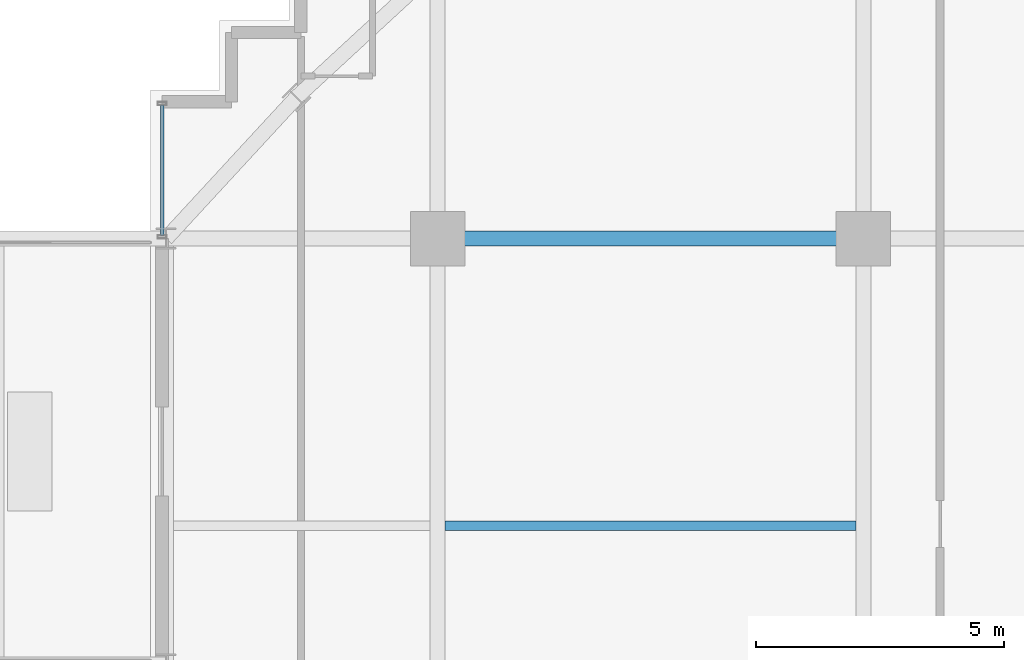
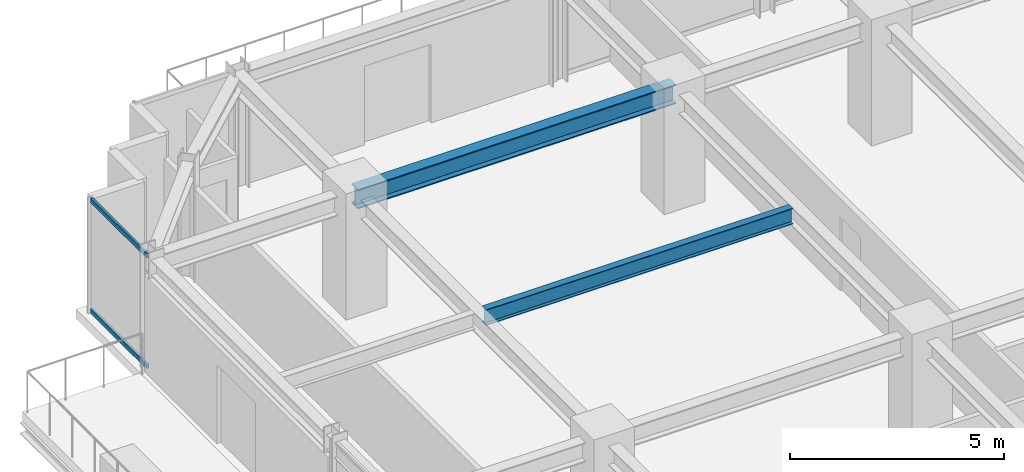
# One storey, part 16 of 32: 2 beams, 2 members, 1 element without a shape of its own.
"""IFC4 building model written with IfcOpenShell, lengths in metres."""

import ifcopenshell
import ifcopenshell.guid

model = None  # the IFC model being written
_history = None  # IfcOwnerHistory: only IFC2X3 demands one
_inside = {}  # id of a spatial element -> (the spatial element, [elements in it])
_under = {}  # id of a project, library or spatial element -> (it, [spatial elements below it])
_declared = {}  # id of a project -> (the project, [libraries it declares])
_typed = {}  # id of a type object -> (the type object, [elements of that type])
_made_of = {}  # id of a material, layer set ... -> (it, [elements and type objects made of it])


def new_model(schema):
    """Start an empty IFC model of exactly this schema.

    Asked for "IFC4X3", IfcOpenShell would pick the latest addendum, in which some entities
    have other attributes; the version numbers below select the first issue.
    IFC2X3 requires an IfcOwnerHistory on every rooted entity: one is made here for all.
    """
    global model, _history
    if schema == "IFC4X3":
        model = ifcopenshell.file(schema_version=(4, 3, 0, 0))
    else:
        model = ifcopenshell.file(schema=schema)
    _inside.clear()
    _under.clear()
    _declared.clear()
    _typed.clear()
    _made_of.clear()
    _history = None
    if model.schema == "IFC2X3":
        org = make("IfcOrganization", Name="unknown")
        user = make(
            "IfcPersonAndOrganization",
            ThePerson=make("IfcPerson", FamilyName="unknown"),
            TheOrganization=org,
        )
        app = make(
            "IfcApplication",
            ApplicationDeveloper=org,
            Version="unknown",
            ApplicationFullName="unknown",
            ApplicationIdentifier="unknown",
        )
        _history = make(
            "IfcOwnerHistory",
            OwningUser=user,
            OwningApplication=app,
            ChangeAction="ADDED",
            CreationDate=0,
        )
    return model


def make(cls, **values):
    """One entity of the class cls with the attributes given. An attribute that is None is left unset."""
    return model.create_entity(
        cls, **{name: value for name, value in values.items() if value is not None}
    )


def rooted(cls, **values):
    """An entity with a GlobalId (a new one), such as an element, a storey or a relation."""
    return make(cls, GlobalId=ifcopenshell.guid.new(), OwnerHistory=_history, **values)


def si_unit(unit_type, name, prefix=None):
    """IfcSIUnit, for example si_unit("LENGTHUNIT", "METRE", prefix="MILLI")."""
    return make("IfcSIUnit", UnitType=unit_type, Prefix=prefix, Name=name)


def assignment(units):
    """IfcUnitAssignment: the units of a project."""
    return None if units is None else make("IfcUnitAssignment", Units=units)


def point(xyz):
    """IfcCartesianPoint."""
    return None if xyz is None else make("IfcCartesianPoint", Coordinates=xyz)


def direction(xyz):
    """IfcDirection."""
    return None if xyz is None else make("IfcDirection", DirectionRatios=xyz)


def frame(location, z_axis=None, x_axis=None):
    """IfcAxis2Placement3D, a coordinate frame: its origin and axes. An axis left out is left unset."""
    return make(
        "IfcAxis2Placement3D",
        Location=point(location),
        Axis=direction(z_axis),
        RefDirection=direction(x_axis),
    )


def frame_2d(location, x_axis=None):
    """IfcAxis2Placement2D, a coordinate frame in the plane: its origin and x axis."""
    return make(
        "IfcAxis2Placement2D", Location=point(location), RefDirection=direction(x_axis)
    )


def origin():
    """The frame at (0, 0, 0) with its axes left unset."""
    return frame((0.0, 0.0, 0.0))


def origin_2d():
    """The frame at (0, 0) in the plane with its x axis left unset."""
    return frame_2d((0.0, 0.0))


def place(relative_to, where):
    """IfcLocalPlacement: puts the frame where relative to a parent placement (None: the world)."""
    return make(
        "IfcLocalPlacement", PlacementRelTo=relative_to, RelativePlacement=where
    )


def context(
    kind, dimensions, precision=None, world=None, true_north=None, identifier=None
):
    """IfcGeometricRepresentationContext, for example the 3D "Model" context."""
    return make(
        "IfcGeometricRepresentationContext",
        ContextIdentifier=identifier,
        ContextType=kind,
        CoordinateSpaceDimension=dimensions,
        Precision=precision,
        WorldCoordinateSystem=world,
        TrueNorth=true_north,
    )


def subcontext(parent, identifier, kind, view, scale=None):
    """IfcGeometricRepresentationSubContext, for example "Body" below "Model"."""
    return make(
        "IfcGeometricRepresentationSubContext",
        ContextIdentifier=identifier,
        ContextType=kind,
        ParentContext=parent,
        TargetScale=scale,
        TargetView=view,
    )


def project(units=None, contexts=None):
    """IfcProject with its units and contexts."""
    return rooted(
        "IfcProject",
        Name="project",
        RepresentationContexts=contexts,
        UnitsInContext=assignment(units),
    )


def spatial(cls, under=None, at=None, **own):
    """A site, building, storey or space (cls), placed at a placement, below another one or the project."""
    s = rooted(cls, ObjectPlacement=at, **own)
    if under is not None:
        _under.setdefault(under.id(), (under, []))[1].append(s)
    return s


def profile(cls, at=None, kind="AREA", **sizes):
    """A parametric profile (cls). Its sizes go by their IFC names, for example OverallWidth=200.0."""
    return make(cls, ProfileType=kind, Position=at, **sizes)


def hollow_rectangle(**sizes):
    """IfcRectangleHollowProfileDef."""
    return profile("IfcRectangleHollowProfileDef", **sizes)


def i_section(**sizes):
    """IfcIShapeProfileDef."""
    return profile("IfcIShapeProfileDef", **sizes)


def extrude(swept, where, along, depth):
    """IfcExtrudedAreaSolid: the profile swept, set in the frame where, extruded along a direction by depth."""
    return make(
        "IfcExtrudedAreaSolid",
        SweptArea=swept,
        Position=where,
        ExtrudedDirection=direction(along),
        Depth=depth,
    )


def shape(context_of_items, identifier, shape_type, items):
    """IfcShapeRepresentation: the items that make up one representation, for example the "Body"."""
    return make(
        "IfcShapeRepresentation",
        ContextOfItems=context_of_items,
        RepresentationIdentifier=identifier,
        RepresentationType=shape_type,
        Items=items,
    )


def source(mapping_origin, context_of_items, identifier, shape_type, items):
    """IfcRepresentationMap: a shape defined once, which mapped items show again and again."""
    return make(
        "IfcRepresentationMap",
        MappingOrigin=mapping_origin,
        MappedRepresentation=shape(context_of_items, identifier, shape_type, items),
    )


def transform(
    local_origin,
    x_axis=None,
    y_axis=None,
    z_axis=None,
    scale=None,
    scale2=None,
    scale3=None,
    uniform=True,
):
    """IfcCartesianTransformationOperator3D, or its non-uniform kind. x_axis, y_axis, z_axis: its Axis1, 2, 3."""
    if uniform:
        return make(
            "IfcCartesianTransformationOperator3D",
            Axis1=direction(x_axis),
            Axis2=direction(y_axis),
            LocalOrigin=point(local_origin),
            Scale=scale,
            Axis3=direction(z_axis),
        )
    return make(
        "IfcCartesianTransformationOperator3DnonUniform",
        Axis1=direction(x_axis),
        Axis2=direction(y_axis),
        LocalOrigin=point(local_origin),
        Scale=scale,
        Axis3=direction(z_axis),
        Scale2=scale2,
        Scale3=scale3,
    )


def mapped(mapping_source, mapping_target):
    """IfcMappedItem: shows the shape of a source again, moved by a transform."""
    return make(
        "IfcMappedItem", MappingSource=mapping_source, MappingTarget=mapping_target
    )


def material(Name=None, Category=None):
    """IfcMaterial."""
    return make("IfcMaterial", Name=Name, Category=Category)


def material_profile(
    of_material, cross_section, Name=None, Category=None, Priority=None
):
    """IfcMaterialProfile: a cross section and its material."""
    return make(
        "IfcMaterialProfile",
        Name=Name,
        Material=of_material,
        Profile=cross_section,
        Priority=Priority,
        Category=Category,
    )


def profile_set(profiles, Name=None, composite=None):
    """IfcMaterialProfileSet."""
    return make(
        "IfcMaterialProfileSet",
        Name=Name,
        MaterialProfiles=profiles,
        CompositeProfile=composite,
    )


def made_of(thing, what):
    """Note that an element or type object is made of a material, layer set ...; save() writes the relation."""
    if what is not None:
        _made_of.setdefault(what.id(), (what, []))[1].append(thing)
    return thing


def type_object(cls, material=None, **own):
    """A type object (cls), such as IfcWallType, which elements share."""
    return made_of(rooted(cls, **own), material)


def element(
    cls,
    number,
    at=None,
    inside=None,
    cuts=None,
    type_object=None,
    material=None,
    context=None,
    identifier="Body",
    shape_type=None,
    held_by="IfcProductDefinitionShape",
    body=None,
    shapes=None,
    **own,
):
    """One element of the class cls, such as IfcWall. Its Tag is "e" and its number.

    at: its placement. inside: the storey or other place that contains it. cuts: it is an
    opening in that element (IfcRelVoidsElement). A single representation is given by context,
    identifier, shape_type and body (its items); several are given by shapes. held_by: the class
    of the entity that holds the representations. save() writes the other relations.
    """
    e = rooted(cls, Tag="e%d" % number, ObjectPlacement=at, **own)
    if body is not None:
        shapes = [shape(context, identifier, shape_type, body)]
    if shapes is not None:
        e.Representation = make(held_by, Representations=shapes)
    if inside is not None:
        _inside.setdefault(inside.id(), (inside, []))[1].append(e)
    if cuts is not None:
        rooted(
            "IfcRelVoidsElement", RelatingBuildingElement=cuts, RelatedOpeningElement=e
        )
    if type_object is not None:
        _typed.setdefault(type_object.id(), (type_object, []))[1].append(e)
    return made_of(e, material)


def aggregate(whole, parts):
    """IfcRelAggregates: a whole, such as a stair, and the parts it consists of."""
    return rooted("IfcRelAggregates", RelatingObject=whole, RelatedObjects=parts)


def save(model, path):
    """Write the relations noted so far, then the file.

    IfcRelAggregates (storeys below a building ...), IfcRelContainedInSpatialStructure (elements
    in a storey), IfcRelDefinesByType, IfcRelAssociatesMaterial and IfcRelDeclares: one each for
    every whole, place, type object, material and project.
    """
    for whole, parts in _under.values():
        aggregate(whole, parts)
    for where, things in _inside.values():
        rooted(
            "IfcRelContainedInSpatialStructure",
            RelatedElements=things,
            RelatingStructure=where,
        )
    for kind, things in _typed.values():
        rooted("IfcRelDefinesByType", RelatedObjects=things, RelatingType=kind)
    for what, things in _made_of.values():
        rooted("IfcRelAssociatesMaterial", RelatedObjects=things, RelatingMaterial=what)
    for by, libraries in _declared.values():
        rooted("IfcRelDeclares", RelatingContext=by, RelatedDefinitions=libraries)
    model.write(path)


model = new_model("IFC4")

# Units and contexts
model_context = context("Model", 3, precision=1e-05, world=origin(), true_north=direction((0.0, 1.0)))
body_context = subcontext(model_context, "Body", "Model", "MODEL_VIEW")
ifc_project = project(units=[si_unit("LENGTHUNIT", "METRE"), si_unit("AREAUNIT", "SQUARE_METRE"), si_unit("VOLUMEUNIT", "CUBIC_METRE"), si_unit("PLANEANGLEUNIT", "RADIAN"), si_unit("MASSUNIT", "GRAM", prefix="KILO")], contexts=[model_context])

# Site, building, storey
site_placement = place(None, origin())
site = spatial("IfcSite", under=ifc_project, at=site_placement, CompositionType="ELEMENT")
building_placement = place(site_placement, origin())
building = spatial("IfcBuilding", under=site, at=building_placement, Name="Nahalor Promenade Grand Hotel", CompositionType="ELEMENT")
storey_placement = place(building_placement, frame((0.0, 0.0, 196.449951171875)))
storey = spatial("IfcBuildingStorey", under=building, at=storey_placement, Name="L50", CompositionType="ELEMENT", Elevation=196.449951171875)

# Beams
ifc_material_1 = material(Name="Steel S355JR", Category="steel")
ifc_material_profile_1 = material_profile(ifc_material_1, i_section(OverallWidth=0.3, OverallDepth=0.55, WebThickness=0.015, FlangeThickness=0.029, at=origin_2d()), Name="HEB 550")
ifc_profile_set_1 = profile_set([ifc_material_profile_1], Name="Steel S355JR")
beam_type_1 = type_object("IfcBeamType", Name="Beam-Girder-HEB550", PredefinedType="BEAM", material=ifc_profile_set_1)
shared_shape_1 = source(origin(), body_context, "Body", "SweptSolid", [
    extrude(i_section(OverallWidth=0.3, OverallDepth=0.55, WebThickness=0.015, FlangeThickness=0.029, at=origin_2d()), origin(), (0.0, 0.0, 1.0), 8.60009765625),
])
beam_1_placement = place(storey_placement, frame((-17.0, 17.0, 3.01513671875), z_axis=(1.0, 0.0, 0.0), x_axis=(0.0, 1.0, 0.0)))
element("IfcBeam", 1, at=beam_1_placement, inside=storey, type_object=beam_type_1, Name="BM-L50-GX-3-1", PredefinedType="BEAM", context=body_context, shape_type="MappedRepresentation", body=[
    mapped(shared_shape_1, transform((0.0, 0.0, 0.0), scale=1.0)),
])
ifc_material_profile_2 = material_profile(ifc_material_1, i_section(OverallWidth=0.19, OverallDepth=0.45, WebThickness=0.0094, FlangeThickness=0.0146, at=origin_2d()), Name="IPE 450")
ifc_profile_set_2 = profile_set([ifc_material_profile_2], Name="Steel S355JR")
beam_type_2 = type_object("IfcBeamType", Name="Beam-Joist-IPE450", PredefinedType="JOIST", material=ifc_profile_set_2)
shared_shape_2 = source(origin(), body_context, "Body", "SweptSolid", [
    extrude(i_section(OverallWidth=0.19, OverallDepth=0.45, WebThickness=0.0094, FlangeThickness=0.0146, at=origin_2d()), origin(), (0.0, 0.0, 1.0), 8.300048828125),
])
beam_2_placement = place(storey_placement, frame((-16.85009765625, 11.199951171875, 3.06494140625), z_axis=(1.0, 0.0, 0.0), x_axis=(0.0, 1.0, 0.0)))
element("IfcBeam", 2, at=beam_2_placement, inside=storey, type_object=beam_type_2, Name="BM-L50-JSW-1-1", PredefinedType="JOIST", context=body_context, shape_type="MappedRepresentation", body=[
    mapped(shared_shape_2, transform((0.0, 0.0, 0.0), scale=1.0)),
])

# Curtain wall, members
ifc_material_2 = material(Name="Anodised Bronze Aluminium EN AW-6063 T6", Category="aluminium")
curtain_wall_type = type_object("IfcCurtainWallType", Name="CW2 Typical Hotel Flush Bronze Unitised Curtain Wall", PredefinedType="USERDEFINED", material=ifc_material_2)
curtain_wall_placement = place(storey_placement, origin())
curtain_wall = element("IfcCurtainWall", 3, at=curtain_wall_placement, inside=storey, type_object=curtain_wall_type, Name="L50 Curtain Wall CW-L50-W-3", ObjectType="UNITISED_CURTAIN_WALL", PredefinedType="USERDEFINED")
ifc_material_profile_3 = material_profile(ifc_material_2, hollow_rectangle(XDim=0.065, YDim=0.13, WallThickness=0.004, at=origin_2d()), Name="CWT 65x130x4")
ifc_profile_set_3 = profile_set([ifc_material_profile_3], Name="Anodised Bronze Aluminium EN AW-6063 T6")
member_type = type_object("IfcMemberType", Name="CWT2 Typical Bronze Transom 65x130", PredefinedType="USERDEFINED", material=ifc_profile_set_3)
shared_shape_3 = source(origin(), body_context, "Body", "SweptSolid", [
    extrude(hollow_rectangle(XDim=0.065, YDim=0.13, WallThickness=0.004, at=origin_2d()), origin(), (0.0, 0.0, 1.0), 2.630126953125),
])
member_1_placement = place(storey_placement, frame((-22.56005859375, 17.06494140625, 0.06494140625), z_axis=(0.0, 1.0, 0.0), x_axis=(-1.0, 0.0, 0.0)))
member_1 = element("IfcMember", 4, at=member_1_placement, type_object=member_type, Name="CW-L50-W-3 Transom 0-0", ObjectType="TRANSOM", PredefinedType="USERDEFINED", context=body_context, shape_type="MappedRepresentation", body=[
    mapped(shared_shape_3, transform((0.0, 0.0, 0.0), scale=1.0)),
])
member_2_placement = place(storey_placement, frame((-22.56005859375, 17.06494140625, 3.22509765625), z_axis=(0.0, 1.0, 0.0), x_axis=(-1.0, 0.0, 0.0)))
member_2 = element("IfcMember", 5, at=member_2_placement, type_object=member_type, Name="CW-L50-W-3 Transom 0-1", ObjectType="TRANSOM", PredefinedType="USERDEFINED", context=body_context, shape_type="MappedRepresentation", body=[
    mapped(shared_shape_3, transform((0.0, 0.0, 0.0), scale=1.0)),
])
aggregate(curtain_wall, [member_1, member_2])

save(model, "model.ifc")
